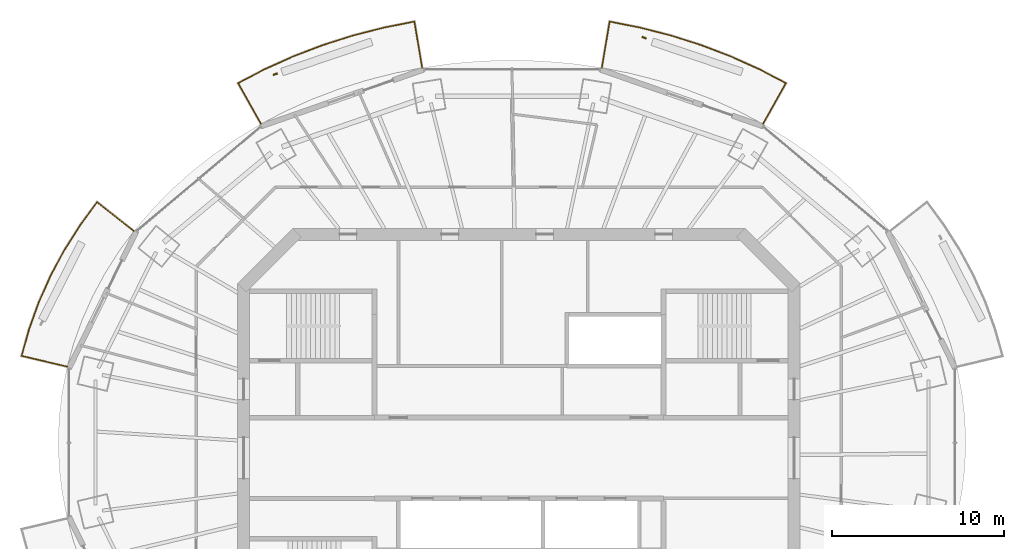
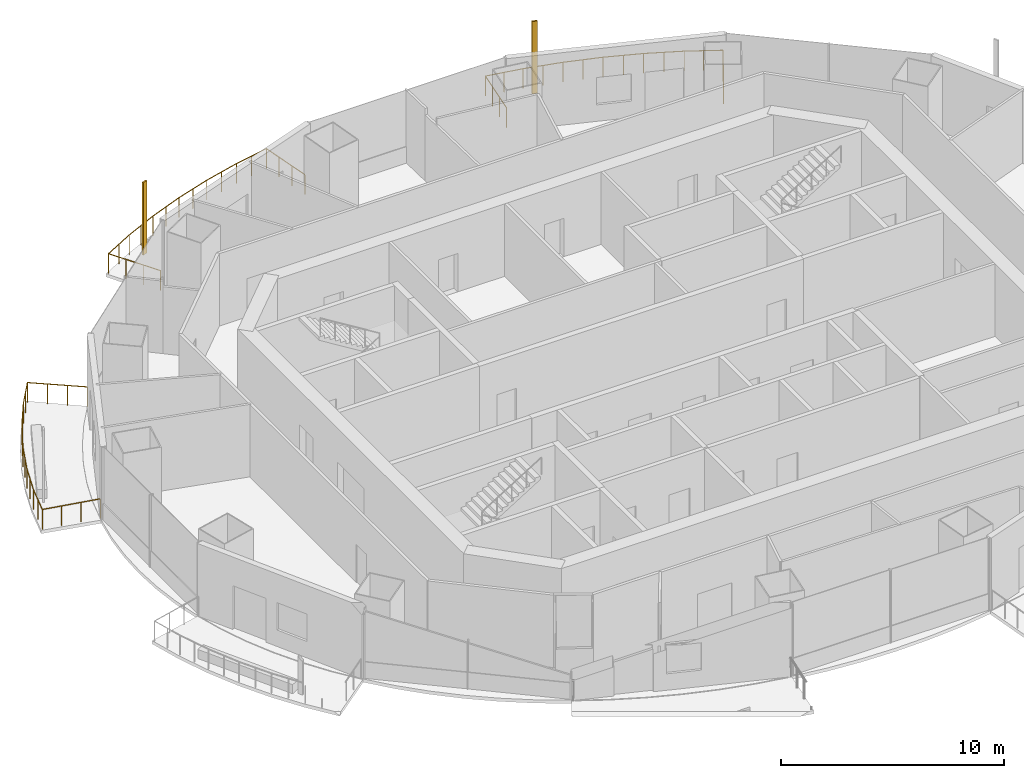
# One storey, part 14 of 16: 3 railings, 2 shading devices.
"""IFC4 building model written with IfcOpenShell, lengths in metres."""

from ifc_helpers import new_model, si_unit, direction, frame, origin, origin_2d, place, context, subcontext, project, spatial, rectangle, circle, extrude, material, material_profile, profile_set, type_object, element, save


model = new_model("IFC4")

# Units and contexts
model_context = context("Model", 3, precision=1e-05, world=origin(), true_north=direction((0.0, 1.0)))
body_context = subcontext(model_context, "Body", "Model", "MODEL_VIEW")
ifc_project = project(units=[si_unit("LENGTHUNIT", "METRE"), si_unit("AREAUNIT", "SQUARE_METRE"), si_unit("VOLUMEUNIT", "CUBIC_METRE"), si_unit("PLANEANGLEUNIT", "RADIAN"), si_unit("MASSUNIT", "GRAM", prefix="KILO")], contexts=[model_context])

# Site, building, storey
site_placement = place(None, origin())
site = spatial("IfcSite", under=ifc_project, at=site_placement, CompositionType="ELEMENT")
building_placement = place(site_placement, origin())
building = spatial("IfcBuilding", under=site, at=building_placement, Name="Marenthal Gate Tower", CompositionType="ELEMENT")
storey_placement = place(building_placement, frame((0.0, 0.0, 363.35009765625)))
storey = spatial("IfcBuildingStorey", under=building, at=storey_placement, Name="L82", CompositionType="ELEMENT", Elevation=363.35009765625)

# Railings
ifc_material_1 = material(Name="Stainless steel", Category="steel")
railing_type = type_object("IfcRailingType", Name="Balcony guard 1100", PredefinedType="GUARDRAIL", material=ifc_material_1)
railing_1_placement = place(storey_placement, frame((4.826416015625, 22.690673828125, 0.0)))
element("IfcRailing", 1, at=railing_1_placement, inside=storey, type_object=railing_type, Name="Balcony guard L82 bay 3", PredefinedType="GUARDRAIL", context=body_context, shape_type="SweptSolid", body=[
    extrude(circle(Radius=0.02392578125, at=origin_2d()), frame((0.0, 0.0, 1.076171875), z_axis=(0.165414456926, 0.986114290962, -0.01471946334), x_axis=(-0.986221135368, 0.165432379401, 0.0)), (0.0, 0.0, 1.0), 2.72021484375),
    extrude(circle(Radius=0.02392578125, at=origin_2d()), frame((0.449951171875, 2.682373046875, 1.0361328125), z_axis=(0.981009399429, -0.193960197546, 0.0), x_axis=(0.193960197546, 0.981009399429, 0.0)), (0.0, 0.0, 1.0), 1.7861328125),
    extrude(circle(Radius=0.02392578125, at=origin_2d()), frame((2.2021484375, 2.3359375, 1.0361328125), z_axis=(0.968846683281, -0.247661269269, 0.0), x_axis=(0.247661269269, 0.968846683281, 0.0)), (0.0, 0.0, 1.0), 1.859130859375),
    extrude(circle(Radius=0.02392578125, at=origin_2d()), frame((4.00341796875, 1.87548828125, 1.0361328125), z_axis=(0.953211172176, -0.30230524514, 0.0), x_axis=(0.30230524514, 0.953211172176, 0.0)), (0.0, 0.0, 1.0), 1.85107421875),
    extrude(circle(Radius=0.02392578125, at=origin_2d()), frame((5.767822265625, 1.31591796875, 1.0361328125), z_axis=(0.934231239104, -0.35666790139, 0.0), x_axis=(0.35666790139, 0.934231239104, 0.0)), (0.0, 0.0, 1.0), 1.84130859375),
    extrude(circle(Radius=0.02392578125, at=origin_2d()), frame((7.488037109375, 0.6591796875, 1.0361328125), z_axis=(0.911781695063, -0.410675225146, 0.0), x_axis=(0.410675225146, 0.911781695063, 0.0)), (0.0, 0.0, 1.0), 1.830322265625),
    extrude(circle(Radius=0.02392578125, at=origin_2d()), frame((9.156982421875, -0.092529296875, 1.0361328125), z_axis=(0.886366910687, -0.462983476637, 0.0), x_axis=(0.462983476637, 0.886366910687, 0.0)), (0.0, 0.0, 1.0), 1.738525390625),
    extrude(circle(Radius=0.02392578125, at=origin_2d()), frame((10.697998046875, -0.8974609375, 1.0361328125), z_axis=(-0.490915294113, -0.871082969774, 0.014718484138), x_axis=(0.871177338103, -0.490968477171, 0.0)), (0.0, 0.0, 1.0), 2.72021484375),
    extrude(circle(Radius=0.02099609375, at=origin_2d()), origin(), (0.0, 0.0, 1.0), 1.052001953125),
    extrude(circle(Radius=0.02099609375, at=origin_2d()), frame((0.14990234375, 0.89404296875, -0.013427734375)), (0.0, 0.0, 1.0), 1.052001953125),
    extrude(circle(Radius=0.02099609375, at=origin_2d()), frame((0.300048828125, 1.788330078125, -0.026611328125)), (0.0, 0.0, 1.0), 1.052001953125),
    extrude(circle(Radius=0.02099609375, at=origin_2d()), frame((0.449951171875, 2.682373046875, -0.0400390625)), (0.0, 0.0, 1.0), 1.052001953125),
    extrude(circle(Radius=0.02099609375, at=origin_2d()), frame((1.326171875, 2.50927734375, -0.0400390625)), (0.0, 0.0, 1.0), 1.052001953125),
    extrude(circle(Radius=0.02099609375, at=origin_2d()), frame((2.2021484375, 2.3359375, -0.0400390625)), (0.0, 0.0, 1.0), 1.052001953125),
    extrude(circle(Radius=0.02099609375, at=origin_2d()), frame((3.102783203125, 2.105712890625, -0.0400390625)), (0.0, 0.0, 1.0), 1.052001953125),
    extrude(circle(Radius=0.02099609375, at=origin_2d()), frame((4.00341796875, 1.87548828125, -0.0400390625)), (0.0, 0.0, 1.0), 1.052001953125),
    extrude(circle(Radius=0.02099609375, at=origin_2d()), frame((4.8857421875, 1.595703125, -0.0400390625)), (0.0, 0.0, 1.0), 1.052001953125),
    extrude(circle(Radius=0.02099609375, at=origin_2d()), frame((5.767822265625, 1.31591796875, -0.0400390625)), (0.0, 0.0, 1.0), 1.052001953125),
    extrude(circle(Radius=0.02099609375, at=origin_2d()), frame((6.6279296875, 0.987548828125, -0.0400390625)), (0.0, 0.0, 1.0), 1.052001953125),
    extrude(circle(Radius=0.02099609375, at=origin_2d()), frame((7.488037109375, 0.6591796875, -0.0400390625)), (0.0, 0.0, 1.0), 1.052001953125),
    extrude(circle(Radius=0.02099609375, at=origin_2d()), frame((8.322509765625, 0.283203125, -0.0400390625)), (0.0, 0.0, 1.0), 1.052001953125),
    extrude(circle(Radius=0.02099609375, at=origin_2d()), frame((9.156982421875, -0.092529296875, -0.0400390625)), (0.0, 0.0, 1.0), 1.052001953125),
    extrude(circle(Radius=0.02099609375, at=origin_2d()), frame((9.927490234375, -0.4951171875, -0.0400390625)), (0.0, 0.0, 1.0), 1.052001953125),
    extrude(circle(Radius=0.02099609375, at=origin_2d()), frame((10.697998046875, -0.8974609375, -0.0400390625)), (0.0, 0.0, 1.0), 1.052001953125),
    extrude(circle(Radius=0.02099609375, at=origin_2d()), frame((10.2529296875, -1.687255859375, -0.026611328125)), (0.0, 0.0, 1.0), 1.052001953125),
    extrude(circle(Radius=0.02099609375, at=origin_2d()), frame((9.8076171875, -2.477294921875, -0.013427734375)), (0.0, 0.0, 1.0), 1.052001953125),
    extrude(circle(Radius=0.02099609375, at=origin_2d()), frame((9.362548828125, -3.26708984375, 0.0)), (0.0, 0.0, 1.0), 1.052001953125),
])
railing_2_placement = place(storey_placement, frame((-14.989013671875, 19.423583984375, 0.0)))
element("IfcRailing", 2, at=railing_2_placement, inside=storey, type_object=railing_type, Name="Balcony guard L82 bay 5", PredefinedType="GUARDRAIL", context=body_context, shape_type="SweptSolid", body=[
    extrude(circle(Radius=0.02392578125, at=origin_2d()), frame((0.0, 0.0, 1.076171875), z_axis=(-0.490915294113, 0.871082969774, -0.014718484138), x_axis=(-0.871177338103, -0.490968477171, 0.0)), (0.0, 0.0, 1.0), 2.72021484375),
    extrude(circle(Radius=0.02392578125, at=origin_2d()), frame((-1.33544921875, 2.36962890625, 1.0361328125), z_axis=(0.886397005833, 0.462925855889, 0.0), x_axis=(-0.462925855889, 0.886397005833, 0.0)), (0.0, 0.0, 1.0), 1.73876953125),
    extrude(circle(Radius=0.02392578125, at=origin_2d()), frame((0.205810546875, 3.174560546875, 1.0361328125), z_axis=(0.911781695063, 0.410675225146, 0.0), x_axis=(-0.410675225146, 0.911781695063, 0.0)), (0.0, 0.0, 1.0), 1.830322265625),
    extrude(circle(Radius=0.02392578125, at=origin_2d()), frame((1.874755859375, 3.92626953125, 1.0361328125), z_axis=(0.934231239104, 0.35666790139, 0.0), x_axis=(-0.35666790139, 0.934231239104, 0.0)), (0.0, 0.0, 1.0), 1.84130859375),
    extrude(circle(Radius=0.02392578125, at=origin_2d()), frame((3.594970703125, 4.5830078125, 1.0361328125), z_axis=(0.953199116145, 0.302343256879, 0.0), x_axis=(-0.302343256879, 0.953199116145, 0.0)), (0.0, 0.0, 1.0), 1.850830078125),
    extrude(circle(Radius=0.02392578125, at=origin_2d()), frame((5.359130859375, 5.142578125, 1.0361328125), z_axis=(0.968854736133, 0.247629764514, 0.0), x_axis=(-0.247629764514, 0.968854736133, 0.0)), (0.0, 0.0, 1.0), 1.859375),
    extrude(circle(Radius=0.02392578125, at=origin_2d()), frame((7.16064453125, 5.60302734375, 1.0361328125), z_axis=(0.981004256117, 0.193986209508, 0.0), x_axis=(-0.193986209508, 0.981004256117, 0.0)), (0.0, 0.0, 1.0), 1.785888671875),
    extrude(circle(Radius=0.02392578125, at=origin_2d()), frame((8.91259765625, 5.949462890625, 1.0361328125), z_axis=(0.165414456926, -0.986114290962, 0.01471946334), x_axis=(0.986221135368, 0.165432379401, 0.0)), (0.0, 0.0, 1.0), 2.72021484375),
    extrude(circle(Radius=0.02099609375, at=origin_2d()), origin(), (0.0, 0.0, 1.0), 1.052001953125),
    extrude(circle(Radius=0.02099609375, at=origin_2d()), frame((-0.445068359375, 0.789794921875, -0.013427734375)), (0.0, 0.0, 1.0), 1.052001953125),
    extrude(circle(Radius=0.02099609375, at=origin_2d()), frame((-0.890380859375, 1.579833984375, -0.026611328125)), (0.0, 0.0, 1.0), 1.052001953125),
    extrude(circle(Radius=0.02099609375, at=origin_2d()), frame((-1.33544921875, 2.36962890625, -0.0400390625)), (0.0, 0.0, 1.0), 1.052001953125),
    extrude(circle(Radius=0.02099609375, at=origin_2d()), frame((-0.56494140625, 2.77197265625, -0.0400390625)), (0.0, 0.0, 1.0), 1.052001953125),
    extrude(circle(Radius=0.02099609375, at=origin_2d()), frame((0.205810546875, 3.174560546875, -0.0400390625)), (0.0, 0.0, 1.0), 1.052001953125),
    extrude(circle(Radius=0.02099609375, at=origin_2d()), frame((1.040283203125, 3.55029296875, -0.0400390625)), (0.0, 0.0, 1.0), 1.052001953125),
    extrude(circle(Radius=0.02099609375, at=origin_2d()), frame((1.874755859375, 3.92626953125, -0.0400390625)), (0.0, 0.0, 1.0), 1.052001953125),
    extrude(circle(Radius=0.02099609375, at=origin_2d()), frame((2.73486328125, 4.254638671875, -0.0400390625)), (0.0, 0.0, 1.0), 1.052001953125),
    extrude(circle(Radius=0.02099609375, at=origin_2d()), frame((3.594970703125, 4.5830078125, -0.0400390625)), (0.0, 0.0, 1.0), 1.052001953125),
    extrude(circle(Radius=0.02099609375, at=origin_2d()), frame((4.47705078125, 4.86279296875, -0.0400390625)), (0.0, 0.0, 1.0), 1.052001953125),
    extrude(circle(Radius=0.02099609375, at=origin_2d()), frame((5.359130859375, 5.142578125, -0.0400390625)), (0.0, 0.0, 1.0), 1.052001953125),
    extrude(circle(Radius=0.02099609375, at=origin_2d()), frame((6.259765625, 5.372802734375, -0.0400390625)), (0.0, 0.0, 1.0), 1.052001953125),
    extrude(circle(Radius=0.02099609375, at=origin_2d()), frame((7.16064453125, 5.60302734375, -0.0400390625)), (0.0, 0.0, 1.0), 1.052001953125),
    extrude(circle(Radius=0.02099609375, at=origin_2d()), frame((8.03662109375, 5.7763671875, -0.0400390625)), (0.0, 0.0, 1.0), 1.052001953125),
    extrude(circle(Radius=0.02099609375, at=origin_2d()), frame((8.91259765625, 5.949462890625, -0.0400390625)), (0.0, 0.0, 1.0), 1.052001953125),
    extrude(circle(Radius=0.02099609375, at=origin_2d()), frame((9.0625, 5.055419921875, -0.026611328125)), (0.0, 0.0, 1.0), 1.052001953125),
    extrude(circle(Radius=0.02099609375, at=origin_2d()), frame((9.212646484375, 4.1611328125, -0.013427734375)), (0.0, 0.0, 1.0), 1.052001953125),
    extrude(circle(Radius=0.02099609375, at=origin_2d()), frame((9.362548828125, 3.26708984375, 0.0)), (0.0, 0.0, 1.0), 1.052001953125),
])
railing_3_placement = place(storey_placement, frame((-26.259521484375, 5.31494140625, 0.0)))
element("IfcRailing", 3, at=railing_3_placement, inside=storey, type_object=railing_type, Name="Balcony guard L82 bay 7", PredefinedType="GUARDRAIL", context=body_context, shape_type="SweptSolid", body=[
    extrude(circle(Radius=0.02392578125, at=origin_2d()), frame((0.0, 0.0, 1.076171875), z_axis=(-0.973202156383, 0.229479704341, -0.014718291557), x_axis=(-0.229504564257, -0.973307584983, 0.0)), (0.0, 0.0, 1.0), 2.720458984375),
    extrude(circle(Radius=0.02392578125, at=origin_2d()), frame((-2.6474609375, 0.624267578125, 1.0361328125), z_axis=(0.268495452575, 0.96328095172, 0.0), x_axis=(-0.96328095172, 0.268495452575, 0.0)), (0.0, 0.0, 1.0), 1.5966796875),
    extrude(circle(Radius=0.02392578125, at=origin_2d()), frame((-2.21875, 2.162353515625, 1.0361328125), z_axis=(0.338632164542, 0.940918836637, 0.0), x_axis=(-0.940918836637, 0.338632164542, 0.0)), (0.0, 0.0, 1.0), 1.683349609375),
    extrude(circle(Radius=0.02392578125, at=origin_2d()), frame((-1.648681640625, 3.746337890625, 1.0361328125), z_axis=(0.407837712996, 0.913054434225, 0.0), x_axis=(-0.913054434225, 0.407837712996, 0.0)), (0.0, 0.0, 1.0), 1.6923828125),
    extrude(circle(Radius=0.02392578125, at=origin_2d()), frame((-0.95849609375, 5.29150390625, 1.0361328125), z_axis=(0.473586418161, 0.880747355678, 0.0), x_axis=(-0.880747355678, 0.473586418161, 0.0)), (0.0, 0.0, 1.0), 1.70166015625),
    extrude(circle(Radius=0.02392578125, at=origin_2d()), frame((-0.152587890625, 6.790283203125, 1.0361328125), z_axis=(0.535611442073, 0.844464554093, 0.0), x_axis=(-0.844464554093, 0.535611442073, 0.0)), (0.0, 0.0, 1.0), 1.712890625),
    extrude(circle(Radius=0.02392578125, at=origin_2d()), frame((0.764892578125, 8.23681640625, 1.0361328125), z_axis=(0.592398949291, 0.805644763453, 0.0), x_axis=(-0.805644763453, 0.592398949291, 0.0)), (0.0, 0.0, 1.0), 1.645263671875),
    extrude(circle(Radius=0.02392578125, at=origin_2d()), frame((1.739501953125, 9.562255859375, 1.0361328125), z_axis=(0.783769769253, -0.620877048402, 0.014718681113), x_axis=(0.6209443126, 0.783854680824, 0.0)), (0.0, 0.0, 1.0), 2.72021484375),
    extrude(circle(Radius=0.02099609375, at=origin_2d()), origin(), (0.0, 0.0, 1.0), 1.052001953125),
    extrude(circle(Radius=0.02099609375, at=origin_2d()), frame((-0.882568359375, 0.2080078125, -0.013427734375)), (0.0, 0.0, 1.0), 1.052001953125),
    extrude(circle(Radius=0.02099609375, at=origin_2d()), frame((-1.764892578125, 0.416259765625, -0.026611328125)), (0.0, 0.0, 1.0), 1.052001953125),
    extrude(circle(Radius=0.02099609375, at=origin_2d()), frame((-2.6474609375, 0.624267578125, -0.0400390625)), (0.0, 0.0, 1.0), 1.052001953125),
    extrude(circle(Radius=0.02099609375, at=origin_2d()), frame((-2.43310546875, 1.393310546875, -0.0400390625)), (0.0, 0.0, 1.0), 1.052001953125),
    extrude(circle(Radius=0.02099609375, at=origin_2d()), frame((-2.21875, 2.162353515625, -0.0400390625)), (0.0, 0.0, 1.0), 1.052001953125),
    extrude(circle(Radius=0.02099609375, at=origin_2d()), frame((-1.93359375, 2.954345703125, -0.0400390625)), (0.0, 0.0, 1.0), 1.052001953125),
    extrude(circle(Radius=0.02099609375, at=origin_2d()), frame((-1.648681640625, 3.746337890625, -0.0400390625)), (0.0, 0.0, 1.0), 1.052001953125),
    extrude(circle(Radius=0.02099609375, at=origin_2d()), frame((-1.3037109375, 4.51904296875, -0.0400390625)), (0.0, 0.0, 1.0), 1.052001953125),
    extrude(circle(Radius=0.02099609375, at=origin_2d()), frame((-0.95849609375, 5.29150390625, -0.0400390625)), (0.0, 0.0, 1.0), 1.052001953125),
    extrude(circle(Radius=0.02099609375, at=origin_2d()), frame((-0.5556640625, 6.041015625, -0.0400390625)), (0.0, 0.0, 1.0), 1.052001953125),
    extrude(circle(Radius=0.02099609375, at=origin_2d()), frame((-0.152587890625, 6.790283203125, -0.0400390625)), (0.0, 0.0, 1.0), 1.052001953125),
    extrude(circle(Radius=0.02099609375, at=origin_2d()), frame((0.30615234375, 7.513671875, -0.0400390625)), (0.0, 0.0, 1.0), 1.052001953125),
    extrude(circle(Radius=0.02099609375, at=origin_2d()), frame((0.764892578125, 8.23681640625, -0.0400390625)), (0.0, 0.0, 1.0), 1.052001953125),
    extrude(circle(Radius=0.02099609375, at=origin_2d()), frame((1.252197265625, 8.8994140625, -0.0400390625)), (0.0, 0.0, 1.0), 1.052001953125),
    extrude(circle(Radius=0.02099609375, at=origin_2d()), frame((1.739501953125, 9.562255859375, -0.0400390625)), (0.0, 0.0, 1.0), 1.052001953125),
    extrude(circle(Radius=0.02099609375, at=origin_2d()), frame((2.4501953125, 8.999267578125, -0.026611328125)), (0.0, 0.0, 1.0), 1.052001953125),
    extrude(circle(Radius=0.02099609375, at=origin_2d()), frame((3.160888671875, 8.436279296875, -0.013427734375)), (0.0, 0.0, 1.0), 1.052001953125),
    extrude(circle(Radius=0.02099609375, at=origin_2d()), frame((3.87158203125, 7.873291015625, 0.0)), (0.0, 0.0, 1.0), 1.052001953125),
])

# Shading devices
ifc_material_2 = material(Name="Terracotta", Category="masonry")
ifc_material_profile = material_profile(ifc_material_2, rectangle(XDim=0.25, YDim=0.080078125, at=origin_2d()), Name="Terracotta baguette 250x80")
ifc_profile_set = profile_set([ifc_material_profile], Name="Terracotta")
shading_device_type = type_object("IfcShadingDeviceType", Name="Terracotta BAGUETTE SCREEN 250x80", PredefinedType="USERDEFINED", material=ifc_profile_set)
for number, where, z_axis, x_axis, name in (
    (4, (7.281982421875, 24.437255859375, -0.0400390625), (0.0, 0.0, 1.0), (-0.944118156364, 0.329607200807, 0.0), "Terracotta BAGUETTE L82 bay 3R"),
    (5, (-14.161865234375, 22.314697265625, -0.0400390625), (0.0, 0.0, 1.0), (-0.944118156364, -0.329607200807, 0.0), "Terracotta BAGUETTE L82 bay 5R"),
):
    element("IfcShadingDevice", number, at=place(storey_placement, frame(where, z_axis=z_axis, x_axis=x_axis)), inside=storey, type_object=shading_device_type, Name=name, ObjectType="BAGUETTE SCREEN", PredefinedType="USERDEFINED", context=body_context, shape_type="SweptSolid", body=[
        extrude(rectangle(XDim=0.25, YDim=0.080078125, at=origin_2d()), origin(), (0.0, 0.0, 1.0), 3.969970703125),
    ])

save(model, "model.ifc")
